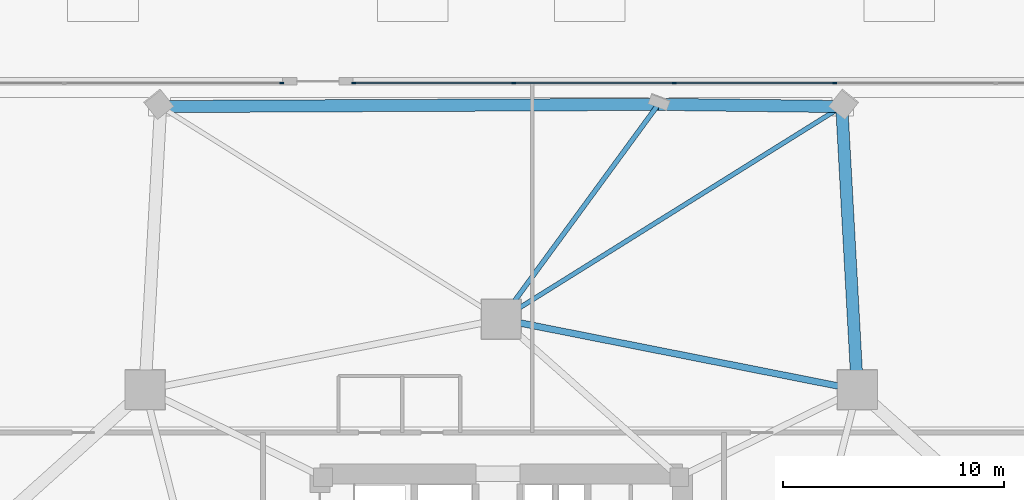
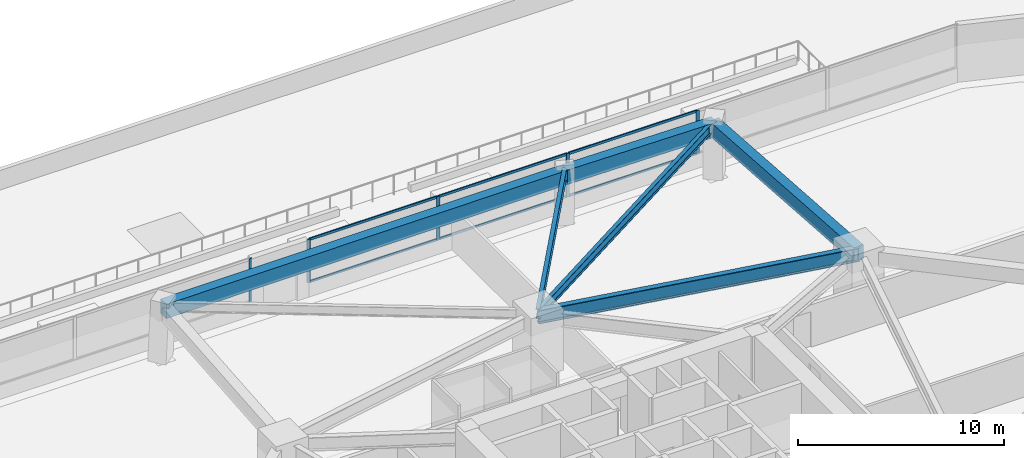
# One storey, part 10 of 21: 11 members, 6 beams, 2 elements without a shape of their own.
"""IFC4 building model written with IfcOpenShell, lengths in metres."""

from ifc_helpers import new_model, si_unit, direction, frame, origin, origin_2d, place, context, subcontext, project, spatial, rectangle, i_section, extrude, material, layer, layer_set, material_profile, profile_set, type_object, element, aggregate, save


model = new_model("IFC4")

# Units and contexts
model_context = context("Model", 3, precision=1e-05, world=origin(), true_north=direction((0.0, 1.0)))
body_context = subcontext(model_context, "Body", "Model", "MODEL_VIEW")
ifc_project = project(units=[si_unit("LENGTHUNIT", "METRE"), si_unit("AREAUNIT", "SQUARE_METRE"), si_unit("VOLUMEUNIT", "CUBIC_METRE"), si_unit("PLANEANGLEUNIT", "RADIAN"), si_unit("MASSUNIT", "GRAM", prefix="KILO")], contexts=[model_context])

# Site, building, storey
site_placement = place(None, origin())
site = spatial("IfcSite", under=ifc_project, at=site_placement, CompositionType="ELEMENT")
building_placement = place(site_placement, origin())
building = spatial("IfcBuilding", under=site, at=building_placement, Name="Talyreon Biosciences Tower", CompositionType="ELEMENT")
storey_placement = place(building_placement, frame((0.0, 0.0, 22.800048828125)))
storey = spatial("IfcBuildingStorey", under=building, at=storey_placement, Name="L05", CompositionType="ELEMENT", Elevation=22.800048828125)

# Curtain wall, member
ifc_material_1 = material(Name="Thermally broken aluminium and low-E glazing", Category="aluminium")
ifc_layer = layer(ifc_material_1, 0.195068359375)
ifc_layer_set = layer_set([ifc_layer], Name="Thermally broken aluminium and low-E glazing")
curtain_wall_type = type_object("IfcCurtainWallType", Name="CurtainWall_Zone1WetLab", PredefinedType="NOTDEFINED", material=ifc_layer_set)
curtain_wall_1_placement = place(storey_placement, origin())
curtain_wall_1 = element("IfcCurtainWall", 1, at=curtain_wall_1_placement, inside=storey, type_object=curtain_wall_type, Name="L05 Unitised Curtain Wall FCW-L05-04A", PredefinedType="NOTDEFINED")
ifc_material_2 = material(Name="Anodised thermally broken aluminium", Category="aluminium")
ifc_material_profile_1 = material_profile(ifc_material_2, rectangle(XDim=0.06494140625, YDim=0.179931640625, at=origin_2d()), Name="ALUM MULLION 65x180")
ifc_profile_set_1 = profile_set([ifc_material_profile_1], Name="Anodised thermally broken aluminium")
member_type_1 = type_object("IfcMemberType", Name="CWMullion_65x180", PredefinedType="MULLION", material=ifc_profile_set_1)
member_1_placement = place(storey_placement, frame((56.075927734375, 92.474365234375, 0.81005859375), z_axis=(0.0, 0.0, 1.0), x_axis=(0.0, 1.0, 0.0)))
member_1 = element("IfcMember", 2, at=member_1_placement, type_object=member_type_1, Name="CW2 mullion 3", PredefinedType="MULLION", context=body_context, shape_type="SweptSolid", body=[
    extrude(rectangle(XDim=0.06494140625, YDim=0.179931640625, at=origin_2d()), origin(), (0.0, 0.0, 1.0), 2.56494140625),
])
aggregate(curtain_wall_1, [member_1])

# Curtain wall, members
curtain_wall_2_placement = place(storey_placement, origin())
curtain_wall_2 = element("IfcCurtainWall", 3, at=curtain_wall_2_placement, inside=storey, type_object=curtain_wall_type, Name="L05 Unitised Curtain Wall FCW-L05-04B", PredefinedType="NOTDEFINED")
member_2_placement = place(storey_placement, frame((59.341064453125, 92.474365234375, 0.81005859375), z_axis=(0.0, 0.0, 1.0), x_axis=(0.0, 1.0, 0.0)))
member_2 = element("IfcMember", 4, at=member_2_placement, type_object=member_type_1, Name="CW2 mullion 1", PredefinedType="MULLION", context=body_context, shape_type="SweptSolid", body=[
    extrude(rectangle(XDim=0.06494140625, YDim=0.179931640625, at=origin_2d()), origin(), (0.0, 0.0, 1.0), 2.56494140625),
])
member_3_placement = place(storey_placement, frame((66.569091796875, 92.474365234375, 0.81005859375), z_axis=(0.0, 0.0, 1.0), x_axis=(0.0, 1.0, 0.0)))
member_3 = element("IfcMember", 5, at=member_3_placement, type_object=member_type_1, Name="CW2 mullion 2", PredefinedType="MULLION", context=body_context, shape_type="SweptSolid", body=[
    extrude(rectangle(XDim=0.06494140625, YDim=0.179931640625, at=origin_2d()), origin(), (0.0, 0.0, 1.0), 2.56494140625),
])
member_4_placement = place(storey_placement, frame((73.82958984375, 92.474365234375, 0.81005859375), z_axis=(0.0, 0.0, 1.0), x_axis=(0.0, 1.0, 0.0)))
member_4 = element("IfcMember", 6, at=member_4_placement, type_object=member_type_1, Name="CW2 mullion 3", PredefinedType="MULLION", context=body_context, shape_type="SweptSolid", body=[
    extrude(rectangle(XDim=0.06494140625, YDim=0.179931640625, at=origin_2d()), origin(), (0.0, 0.0, 1.0), 2.56494140625),
])
member_5_placement = place(storey_placement, frame((81.09033203125, 92.474365234375, 0.81005859375), z_axis=(0.0, 0.0, 1.0), x_axis=(0.0, 1.0, 0.0)))
member_5 = element("IfcMember", 7, at=member_5_placement, type_object=member_type_1, Name="CW2 mullion 4", PredefinedType="MULLION", context=body_context, shape_type="SweptSolid", body=[
    extrude(rectangle(XDim=0.06494140625, YDim=0.179931640625, at=origin_2d()), origin(), (0.0, 0.0, 1.0), 2.56494140625),
])
ifc_material_profile_2 = material_profile(ifc_material_2, rectangle(XDim=0.06494140625, YDim=0.139892578125, at=origin_2d()), Name="ALUM TRANSOM 65x140")
ifc_profile_set_2 = profile_set([ifc_material_profile_2], Name="Anodised thermally broken aluminium")
member_type_2 = type_object("IfcMemberType", Name="CWTransom_65x140", PredefinedType="USERDEFINED", material=ifc_profile_set_2)
member_6_placement = place(storey_placement, frame((59.37353515625, 92.474365234375, 0.842529296875), z_axis=(1.0, 0.0, 0.0), x_axis=(0.0, 1.0, 0.0)))
member_6 = element("IfcMember", 8, at=member_6_placement, type_object=member_type_2, Name="CW2 transom 1.1", ObjectType="TRANSOM", PredefinedType="USERDEFINED", context=body_context, shape_type="SweptSolid", body=[
    extrude(rectangle(XDim=0.06494140625, YDim=0.139892578125, at=origin_2d()), origin(), (0.0, 0.0, 1.0), 7.1630859375),
])
member_7_placement = place(storey_placement, frame((59.37353515625, 92.474365234375, 3.342529296875), z_axis=(1.0, 0.0, 0.0), x_axis=(0.0, 1.0, 0.0)))
member_7 = element("IfcMember", 9, at=member_7_placement, type_object=member_type_2, Name="CW2 transom 1.2", ObjectType="TRANSOM", PredefinedType="USERDEFINED", context=body_context, shape_type="SweptSolid", body=[
    extrude(rectangle(XDim=0.06494140625, YDim=0.139892578125, at=origin_2d()), origin(), (0.0, 0.0, 1.0), 7.1630859375),
])
member_8_placement = place(storey_placement, frame((66.6015625, 92.474365234375, 0.842529296875), z_axis=(1.0, 0.0, 0.0), x_axis=(0.0, 1.0, 0.0)))
member_8 = element("IfcMember", 10, at=member_8_placement, type_object=member_type_2, Name="CW2 transom 2.1", ObjectType="TRANSOM", PredefinedType="USERDEFINED", context=body_context, shape_type="SweptSolid", body=[
    extrude(rectangle(XDim=0.06494140625, YDim=0.139892578125, at=origin_2d()), origin(), (0.0, 0.0, 1.0), 7.195556640625),
])
member_9_placement = place(storey_placement, frame((66.6015625, 92.474365234375, 3.342529296875), z_axis=(1.0, 0.0, 0.0), x_axis=(0.0, 1.0, 0.0)))
member_9 = element("IfcMember", 11, at=member_9_placement, type_object=member_type_2, Name="CW2 transom 2.2", ObjectType="TRANSOM", PredefinedType="USERDEFINED", context=body_context, shape_type="SweptSolid", body=[
    extrude(rectangle(XDim=0.06494140625, YDim=0.139892578125, at=origin_2d()), origin(), (0.0, 0.0, 1.0), 7.195556640625),
])
member_10_placement = place(storey_placement, frame((73.8623046875, 92.474365234375, 0.842529296875), z_axis=(1.0, 0.0, 0.0), x_axis=(0.0, 1.0, 0.0)))
member_10 = element("IfcMember", 12, at=member_10_placement, type_object=member_type_2, Name="CW2 transom 3.1", ObjectType="TRANSOM", PredefinedType="USERDEFINED", context=body_context, shape_type="SweptSolid", body=[
    extrude(rectangle(XDim=0.06494140625, YDim=0.139892578125, at=origin_2d()), origin(), (0.0, 0.0, 1.0), 7.195556640625),
])
member_11_placement = place(storey_placement, frame((73.8623046875, 92.474365234375, 3.342529296875), z_axis=(1.0, 0.0, 0.0), x_axis=(0.0, 1.0, 0.0)))
member_11 = element("IfcMember", 13, at=member_11_placement, type_object=member_type_2, Name="CW2 transom 3.2", ObjectType="TRANSOM", PredefinedType="USERDEFINED", context=body_context, shape_type="SweptSolid", body=[
    extrude(rectangle(XDim=0.06494140625, YDim=0.139892578125, at=origin_2d()), origin(), (0.0, 0.0, 1.0), 7.195556640625),
])
aggregate(curtain_wall_2, [member_2, member_3, member_4, member_5, member_6, member_7, member_8, member_9, member_10, member_11])

# Beams
ifc_material_3 = material(Name="Precast concrete C45/55", Category="concrete")
ifc_material_profile_3 = material_profile(ifc_material_3, rectangle(XDim=0.550048828125, YDim=0.85009765625, at=origin_2d()), Name="RCB 550x850")
ifc_profile_set_3 = profile_set([ifc_material_profile_3], Name="Precast concrete C45/55")
beam_type_1 = type_object("IfcBeamType", Name="ExpressedSpandrel_550x850", PredefinedType="SPANDREL", material=ifc_profile_set_3)
beam_1_placement = place(storey_placement, frame((82.102294921875, 78.5986328125, 2.949951171875), z_axis=(-0.054919657798, 0.998490776716, 0.0), x_axis=(-0.998490776716, -0.054919657798, 0.0)))
element("IfcBeam", 14, at=beam_1_placement, inside=storey, type_object=beam_type_1, Name="L05 Expressed Horizontal Concrete Spandrel 05", PredefinedType="SPANDREL", context=body_context, shape_type="SweptSolid", body=[
    extrude(rectangle(XDim=0.550048828125, YDim=0.85009765625, at=origin_2d()), origin(), (0.0, 0.0, 1.0), 12.824951171875),
])
beam_2_placement = place(storey_placement, frame((81.39794921875, 91.404296875, 2.949951171875), z_axis=(-0.999927133265, 0.012071791898, 0.0), x_axis=(-0.012071791898, -0.999927133265, 0.0)))
element("IfcBeam", 15, at=beam_2_placement, inside=storey, type_object=beam_type_1, Name="L05 Expressed Horizontal Concrete Spandrel 06", PredefinedType="SPANDREL", context=body_context, shape_type="SweptSolid", body=[
    extrude(rectangle(XDim=0.550048828125, YDim=0.85009765625, at=origin_2d()), origin(), (0.0, 0.0, 1.0), 8.291748046875),
])
beam_3_placement = place(storey_placement, frame((73.106689453125, 91.50439453125, 2.949951171875), z_axis=(-0.999990108383, -0.004447823739, 0.0), x_axis=(0.004447823739, -0.999990108383, 0.0)))
element("IfcBeam", 16, at=beam_3_placement, inside=storey, type_object=beam_type_1, Name="L05 Expressed Horizontal Concrete Spandrel 07", PredefinedType="SPANDREL", context=body_context, shape_type="SweptSolid", body=[
    extrude(rectangle(XDim=0.550048828125, YDim=0.85009765625, at=origin_2d()), origin(), (0.0, 0.0, 1.0), 22.5048828125),
])
ifc_material_4 = material(Name="Steel SM355", Category="steel")
ifc_material_profile_4 = material_profile(ifc_material_4, i_section(OverallWidth=0.300048828125, OverallDepth=0.800048828125, WebThickness=0.017578125, FlangeThickness=0.032958984375, FilletRadius=0.030029296875, at=origin_2d()), Name="HE800B")
ifc_profile_set_4 = profile_set([ifc_material_profile_4], Name="Steel SM355")
beam_type_2 = type_object("IfcBeamType", Name="SteelGirder_HE800B", PredefinedType="BEAM", material=ifc_profile_set_4)
beam_4_placement = place(storey_placement, frame((82.102294921875, 78.5986328125, 2.974853515625), z_axis=(-0.980933730698, 0.194342522311, 0.0), x_axis=(-0.194342522311, -0.980933730698, 0.0)))
element("IfcBeam", 17, at=beam_4_placement, inside=storey, type_object=beam_type_2, Name="L05 Mega-Ring Girder 3", PredefinedType="BEAM", context=body_context, shape_type="SweptSolid", body=[
    extrude(i_section(OverallWidth=0.300048828125, OverallDepth=0.800048828125, WebThickness=0.017578125, FlangeThickness=0.032958984375, FilletRadius=0.030029296875, at=origin_2d()), origin(), (0.0, 0.0, 1.0), 16.415283203125),
])
ifc_material_profile_5 = material_profile(ifc_material_4, i_section(OverallWidth=0.2099609375, OverallDepth=0.550048828125, WebThickness=0.010986328125, FlangeThickness=0.01708984375, FilletRadius=0.02392578125, at=origin_2d()), Name="IPE550")
ifc_profile_set_5 = profile_set([ifc_material_profile_5], Name="Steel SM355")
beam_type_3 = type_object("IfcBeamType", Name="SteelJoist_IPE550", PredefinedType="JOIST", material=ifc_profile_set_5)
beam_5_placement = place(storey_placement, frame((66.0, 81.788818359375, 3.099853515625), z_axis=(0.848202236577, 0.529672508127, 0.0), x_axis=(-0.529672508127, 0.848202236577, 0.0)))
element("IfcBeam", 18, at=beam_5_placement, inside=storey, type_object=beam_type_3, Name="L05 Radial Composite Floor Joist PC-N1", PredefinedType="JOIST", context=body_context, shape_type="SweptSolid", body=[
    extrude(i_section(OverallWidth=0.2099609375, OverallDepth=0.550048828125, WebThickness=0.010986328125, FlangeThickness=0.01708984375, FilletRadius=0.02392578125, at=origin_2d()), origin(), (0.0, 0.0, 1.0), 18.153564453125),
])
ifc_material_profile_6 = material_profile(ifc_material_4, i_section(OverallWidth=0.219970703125, OverallDepth=0.60009765625, WebThickness=0.011962890625, FlangeThickness=0.01904296875, FilletRadius=0.02392578125, at=origin_2d()), Name="IPE600")
ifc_profile_set_6 = profile_set([ifc_material_profile_6], Name="Steel SM355")
beam_type_4 = type_object("IfcBeamType", Name="SteelJoist_IPE600", PredefinedType="JOIST", material=ifc_profile_set_6)
beam_6_placement = place(storey_placement, frame((66.0, 81.788818359375, 3.074951171875), z_axis=(0.59038723501, 0.807120135257, 0.0), x_axis=(-0.807120135257, 0.59038723501, 0.0)))
element("IfcBeam", 19, at=beam_6_placement, inside=storey, type_object=beam_type_4, Name="L05 Radial Composite Floor Joist PL-N", PredefinedType="JOIST", context=body_context, shape_type="SweptSolid", body=[
    extrude(i_section(OverallWidth=0.219970703125, OverallDepth=0.60009765625, WebThickness=0.011962890625, FlangeThickness=0.01904296875, FilletRadius=0.02392578125, at=origin_2d()), origin(), (0.0, 0.0, 1.0), 12.037353515625),
])

save(model, "model.ifc")
